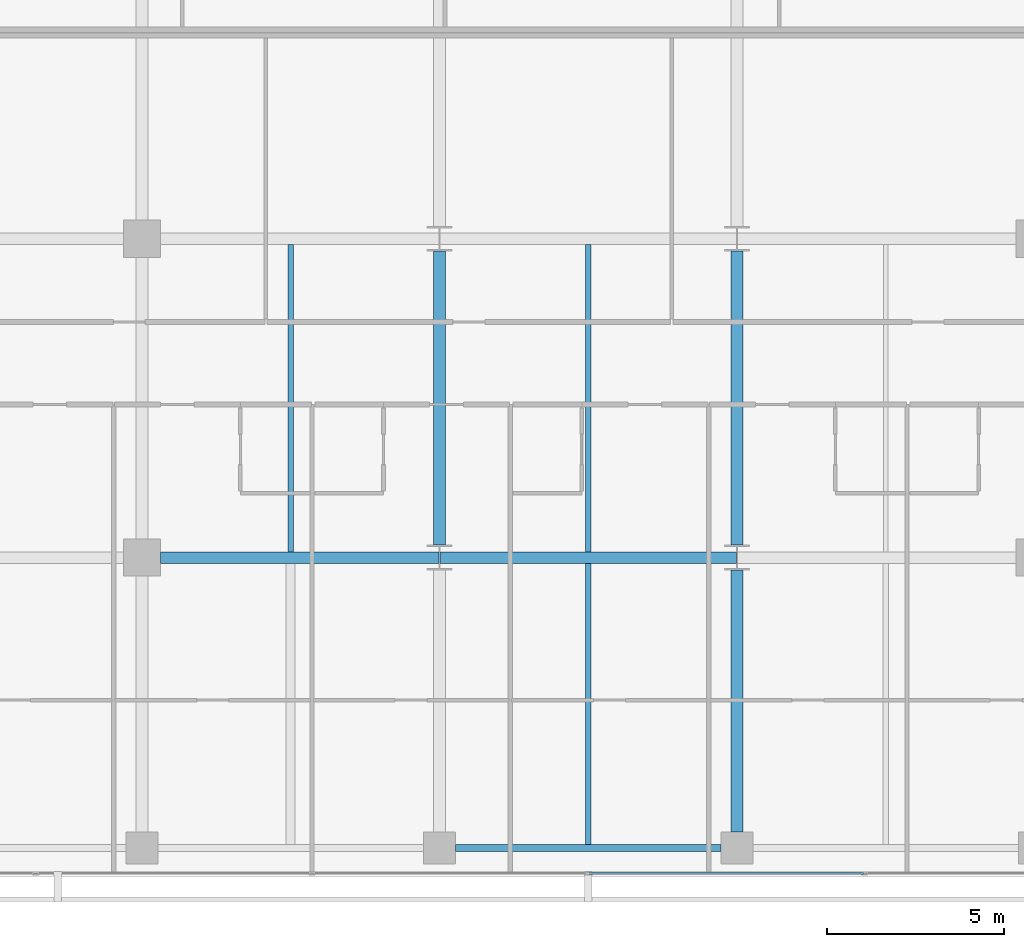
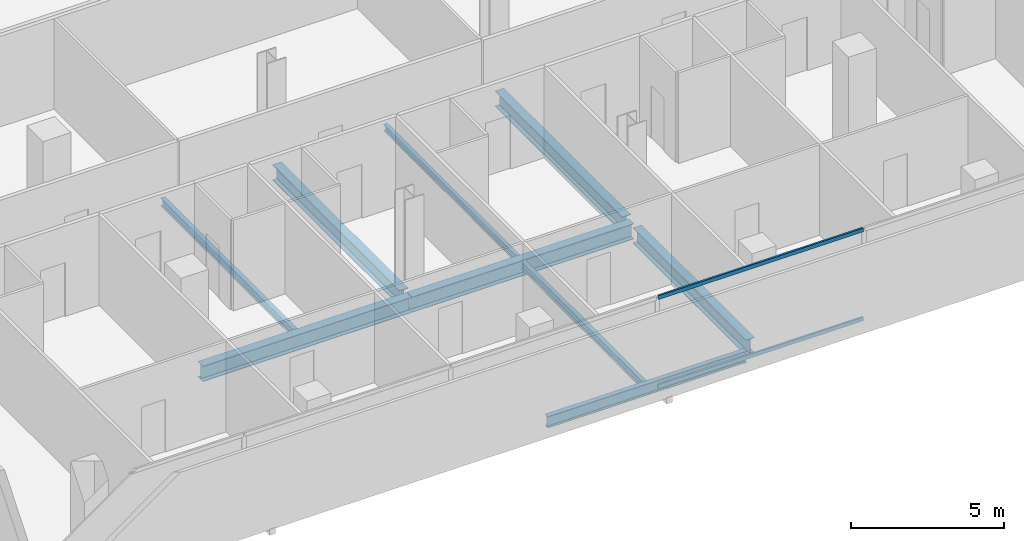
# One storey, part 9 of 40: 9 beams, 2 members, 1 element without a shape of its own.
"""IFC4 building model written with IfcOpenShell, lengths in metres."""

from ifc_helpers import new_model, si_unit, direction, frame, origin, origin_2d, place, context, subcontext, project, spatial, hollow_rectangle, i_section, extrude, material, layer, layer_set, material_profile, profile_set, type_object, element, aggregate, save


model = new_model("IFC4")

# Units and contexts
model_context = context("Model", 3, precision=1e-05, world=origin(), true_north=direction((0.0, 1.0)))
body_context = subcontext(model_context, "Body", "Model", "MODEL_VIEW")
ifc_project = project(units=[si_unit("LENGTHUNIT", "METRE"), si_unit("AREAUNIT", "SQUARE_METRE"), si_unit("VOLUMEUNIT", "CUBIC_METRE"), si_unit("PLANEANGLEUNIT", "RADIAN"), si_unit("MASSUNIT", "GRAM", prefix="KILO")], contexts=[model_context])

# Site, building, storey
site_placement = place(None, origin())
site = spatial("IfcSite", under=ifc_project, at=site_placement, CompositionType="ELEMENT")
building_placement = place(site_placement, origin())
building = spatial("IfcBuilding", under=site, at=building_placement, Name="Maruvema Waterfront Hotel and Observation Tower", CompositionType="ELEMENT")
storey_placement = place(building_placement, frame((0.0, 0.0, 57.75)))
storey = spatial("IfcBuildingStorey", under=building, at=storey_placement, Name="L13", CompositionType="ELEMENT", Elevation=57.75)

# Curtain wall, members
ifc_material_1 = material(Name="Anodised bronze aluminium and solar-control low-E IGU", Category="aluminium")
ifc_layer = layer(ifc_material_1, 0.159912109375, Name="Zone 1 Bronze Inner Thermal Curtain Wall System CW-02")
ifc_layer_set = layer_set([ifc_layer], Name="Anodised bronze aluminium and solar-control low-E IGU")
curtain_wall_type = type_object("IfcCurtainWallType", Name="Zone 1 Bronze Inner Thermal Curtain Wall System CW-02", PredefinedType="USERDEFINED", material=ifc_layer_set)
curtain_wall_placement = place(storey_placement, origin())
curtain_wall = element("IfcCurtainWall", 1, at=curtain_wall_placement, inside=storey, type_object=curtain_wall_type, Name="L13 Curtain Wall CW-L13-S", ObjectType="UNITISED CURTAIN WALL", PredefinedType="USERDEFINED")
ifc_material_2 = material(Name="Anodised architectural bronze aluminium", Category="aluminium")
ifc_material_profile_1 = material_profile(ifc_material_2, hollow_rectangle(XDim=0.070068359375, YDim=0.14990234375, WallThickness=0.00390625, at=origin_2d()), Name="ALU-T70x150")
ifc_profile_set_1 = profile_set([ifc_material_profile_1], Name="Anodised architectural bronze aluminium")
member_type = type_object("IfcMemberType", Name="Curtain Wall Horizontal Transom ALU-T70x150", PredefinedType="USERDEFINED", material=ifc_profile_set_1)
member_1_placement = place(storey_placement, frame((37.830078125, 0.080078125, 0.030029296875), z_axis=(1.0, 0.0, 0.0), x_axis=(0.0, 1.0, 0.0)))
member_1 = element("IfcMember", 2, at=member_1_placement, type_object=member_type, Name="CW-02 transom 4.1", ObjectType="TRANSOM", PredefinedType="USERDEFINED", context=body_context, shape_type="SweptSolid", body=[
    extrude(hollow_rectangle(XDim=0.070068359375, YDim=0.14990234375, WallThickness=0.00390625, at=origin_2d()), origin(), (0.0, 0.0, 1.0), 7.739990234375),
])
member_2_placement = place(storey_placement, frame((37.830078125, 0.080078125, 3.580078125), z_axis=(1.0, 0.0, 0.0), x_axis=(0.0, 1.0, 0.0)))
member_2 = element("IfcMember", 3, at=member_2_placement, type_object=member_type, Name="CW-02 transom 4.2", ObjectType="TRANSOM", PredefinedType="USERDEFINED", context=body_context, shape_type="SweptSolid", body=[
    extrude(hollow_rectangle(XDim=0.070068359375, YDim=0.14990234375, WallThickness=0.00390625, at=origin_2d()), origin(), (0.0, 0.0, 1.0), 7.739990234375),
])
aggregate(curtain_wall, [member_1, member_2])

# Beams
ifc_material_3 = material(Name="Steel ASTM A572 Grade 50", Category="steel")
ifc_material_profile_2 = material_profile(ifc_material_3, i_section(OverallWidth=0.18994140625, OverallDepth=0.45703125, WebThickness=0.009033203125, FlangeThickness=0.014404296875, FilletRadius=0.014892578125, at=origin_2d()), Name="W460x74.0")
ifc_profile_set_2 = profile_set([ifc_material_profile_2], Name="Steel ASTM A572 Grade 50")
beam_type_1 = type_object("IfcBeamType", Name="Perimeter Spandrel Beam W460x74.0", PredefinedType="SPANDREL", material=ifc_profile_set_2)
beam_1_placement = place(storey_placement, frame((34.050048828125, 0.800048828125, -0.468505859375), z_axis=(1.0, 0.0, 0.0), x_axis=(0.0, 1.0, 0.0)))
element("IfcBeam", 4, at=beam_1_placement, inside=storey, type_object=beam_type_1, Name="L13 Floor Girder EW-03", PredefinedType="SPANDREL", context=body_context, shape_type="SweptSolid", body=[
    extrude(i_section(OverallWidth=0.18994140625, OverallDepth=0.45703125, WebThickness=0.009033203125, FlangeThickness=0.014404296875, FilletRadius=0.014892578125, at=origin_2d()), origin(), (0.0, 0.0, 1.0), 7.5),
])
ifc_material_4 = material(Name="Steel ASTM A572 Grade 50", Category="steel")
ifc_material_profile_3 = material_profile(ifc_material_4, i_section(OverallWidth=0.326904296875, OverallDepth=0.6220703125, WebThickness=0.015380859375, FlangeThickness=0.0244140625, FilletRadius=0.01806640625, at=origin_2d()), Name="W610x195.0")
ifc_profile_set_3 = profile_set([ifc_material_profile_3], Name="Steel ASTM A572 Grade 50")
beam_type_2 = type_object("IfcBeamType", Name="Primary Floor Girder W610x195.0", PredefinedType="BEAM", material=ifc_profile_set_3)
beam_2_placement = place(storey_placement, frame((25.72509765625, 9.0, -0.551025390625), z_axis=(1.0, 0.0, 0.0), x_axis=(0.0, 1.0, 0.0)))
element("IfcBeam", 5, at=beam_2_placement, inside=storey, type_object=beam_type_2, Name="L13 Floor Girder EW-08", PredefinedType="BEAM", context=body_context, shape_type="SweptSolid", body=[
    extrude(i_section(OverallWidth=0.326904296875, OverallDepth=0.6220703125, WebThickness=0.015380859375, FlangeThickness=0.0244140625, FilletRadius=0.01806640625, at=origin_2d()), origin(), (0.0, 0.0, 1.0), 7.86083984375),
])
beam_3_placement = place(storey_placement, frame((33.614013671875, 9.0, -0.551025390625), z_axis=(1.0, 0.0, 0.0), x_axis=(0.0, 1.0, 0.0)))
element("IfcBeam", 6, at=beam_3_placement, inside=storey, type_object=beam_type_2, Name="L13 Floor Girder EW-09", PredefinedType="BEAM", context=body_context, shape_type="SweptSolid", body=[
    extrude(i_section(OverallWidth=0.326904296875, OverallDepth=0.6220703125, WebThickness=0.015380859375, FlangeThickness=0.0244140625, FilletRadius=0.01806640625, at=origin_2d()), origin(), (0.0, 0.0, 1.0), 8.3720703125),
])
beam_4_placement = place(storey_placement, frame((33.60009765625, 9.35009765625, -0.551025390625), z_axis=(0.0, 1.0, 0.0), x_axis=(-1.0, 0.0, 0.0)))
element("IfcBeam", 7, at=beam_4_placement, inside=storey, type_object=beam_type_2, Name="L13 Floor Girder NS-17", PredefinedType="BEAM", context=body_context, shape_type="SweptSolid", body=[
    extrude(i_section(OverallWidth=0.326904296875, OverallDepth=0.6220703125, WebThickness=0.015380859375, FlangeThickness=0.0244140625, FilletRadius=0.01806640625, at=origin_2d()), origin(), (0.0, 0.0, 1.0), 8.2998046875),
])
beam_5_placement = place(storey_placement, frame((42.0, 1.25, -0.551025390625), z_axis=(0.0, 1.0, 0.0), x_axis=(-1.0, 0.0, 0.0)))
element("IfcBeam", 8, at=beam_5_placement, inside=storey, type_object=beam_type_2, Name="L13 Floor Girder NS-19", PredefinedType="BEAM", context=body_context, shape_type="SweptSolid", body=[
    extrude(i_section(OverallWidth=0.326904296875, OverallDepth=0.6220703125, WebThickness=0.015380859375, FlangeThickness=0.0244140625, FilletRadius=0.01806640625, at=origin_2d()), origin(), (0.0, 0.0, 1.0), 7.39990234375),
])
beam_6_placement = place(storey_placement, frame((42.0, 9.35009765625, -0.551025390625), z_axis=(0.0, 1.0, 0.0), x_axis=(-1.0, 0.0, 0.0)))
element("IfcBeam", 9, at=beam_6_placement, inside=storey, type_object=beam_type_2, Name="L13 Floor Girder NS-20", PredefinedType="BEAM", context=body_context, shape_type="SweptSolid", body=[
    extrude(i_section(OverallWidth=0.326904296875, OverallDepth=0.6220703125, WebThickness=0.015380859375, FlangeThickness=0.0244140625, FilletRadius=0.01806640625, at=origin_2d()), origin(), (0.0, 0.0, 1.0), 8.2998046875),
])
ifc_material_5 = material(Name="Steel ASTM A572 Grade 50", Category="steel")
ifc_material_profile_4 = material_profile(ifc_material_5, i_section(OverallWidth=0.14794921875, OverallDepth=0.26611328125, WebThickness=0.007568359375, FlangeThickness=0.012939453125, FilletRadius=0.012939453125, at=origin_2d()), Name="W250x44.8")
ifc_profile_set_4 = profile_set([ifc_material_profile_4], Name="Steel ASTM A572 Grade 50")
beam_type_3 = type_object("IfcBeamType", Name="Secondary Floor Joist W250x44.8", PredefinedType="JOIST", material=ifc_profile_set_4)
beam_7_placement = place(storey_placement, frame((37.800048828125, 9.16357421875, -0.373046875), z_axis=(0.0, 1.0, 0.0), x_axis=(-1.0, 0.0, 0.0)))
element("IfcBeam", 10, at=beam_7_placement, inside=storey, type_object=beam_type_3, Name="L13 Secondary Floor Joist JS-13", PredefinedType="JOIST", context=body_context, shape_type="SweptSolid", body=[
    extrude(i_section(OverallWidth=0.14794921875, OverallDepth=0.26611328125, WebThickness=0.007568359375, FlangeThickness=0.012939453125, FilletRadius=0.012939453125, at=origin_2d()), origin(), (0.0, 0.0, 1.0), 8.6728515625),
])
ifc_material_6 = material(Name="Steel ASTM A572 Grade 50", Category="steel")
ifc_material_profile_5 = material_profile(ifc_material_6, i_section(OverallWidth=0.1650390625, OverallDepth=0.31005859375, WebThickness=0.005859375, FlangeThickness=0.009765625, FilletRadius=0.012939453125, at=origin_2d()), Name="W310x38.7")
ifc_profile_set_5 = profile_set([ifc_material_profile_5], Name="Steel ASTM A572 Grade 50")
beam_type_4 = type_object("IfcBeamType", Name="Secondary Floor Joist W310x38.7", PredefinedType="JOIST", material=ifc_profile_set_5)
beam_8_placement = place(storey_placement, frame((37.800048828125, 0.89501953125, -0.39501953125), z_axis=(0.0, 1.0, 0.0), x_axis=(-1.0, 0.0, 0.0)))
element("IfcBeam", 11, at=beam_8_placement, inside=storey, type_object=beam_type_4, Name="L13 Secondary Floor Joist JS-12", PredefinedType="JOIST", context=body_context, shape_type="SweptSolid", body=[
    extrude(i_section(OverallWidth=0.1650390625, OverallDepth=0.31005859375, WebThickness=0.005859375, FlangeThickness=0.009765625, FilletRadius=0.012939453125, at=origin_2d()), origin(), (0.0, 0.0, 1.0), 7.94140625),
])
ifc_material_7 = material(Name="Steel ASTM A572 Grade 50", Category="steel")
ifc_material_profile_6 = material_profile(ifc_material_7, i_section(OverallWidth=0.1669921875, OverallDepth=0.31689453125, WebThickness=0.007568359375, FlangeThickness=0.01318359375, FilletRadius=0.012939453125, at=origin_2d()), Name="W310x52.0")
ifc_profile_set_6 = profile_set([ifc_material_profile_6], Name="Steel ASTM A572 Grade 50")
beam_type_5 = type_object("IfcBeamType", Name="Secondary Floor Joist W310x52.0", PredefinedType="JOIST", material=ifc_profile_set_6)
beam_9_placement = place(storey_placement, frame((29.39990234375, 9.16357421875, -0.3984375), z_axis=(0.0, 1.0, 0.0), x_axis=(-1.0, 0.0, 0.0)))
element("IfcBeam", 12, at=beam_9_placement, inside=storey, type_object=beam_type_5, Name="L13 Secondary Floor Joist JS-11", PredefinedType="JOIST", context=body_context, shape_type="SweptSolid", body=[
    extrude(i_section(OverallWidth=0.1669921875, OverallDepth=0.31689453125, WebThickness=0.007568359375, FlangeThickness=0.01318359375, FilletRadius=0.012939453125, at=origin_2d()), origin(), (0.0, 0.0, 1.0), 8.6728515625),
])

save(model, "model.ifc")
